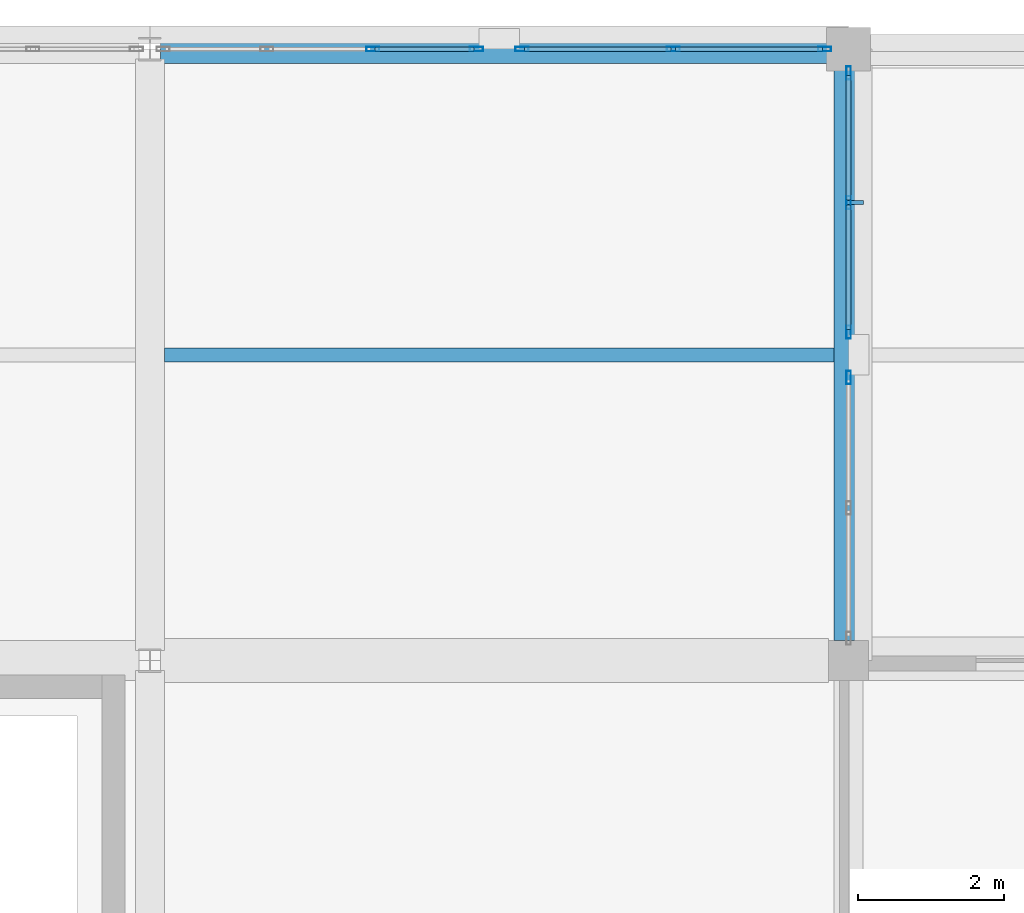
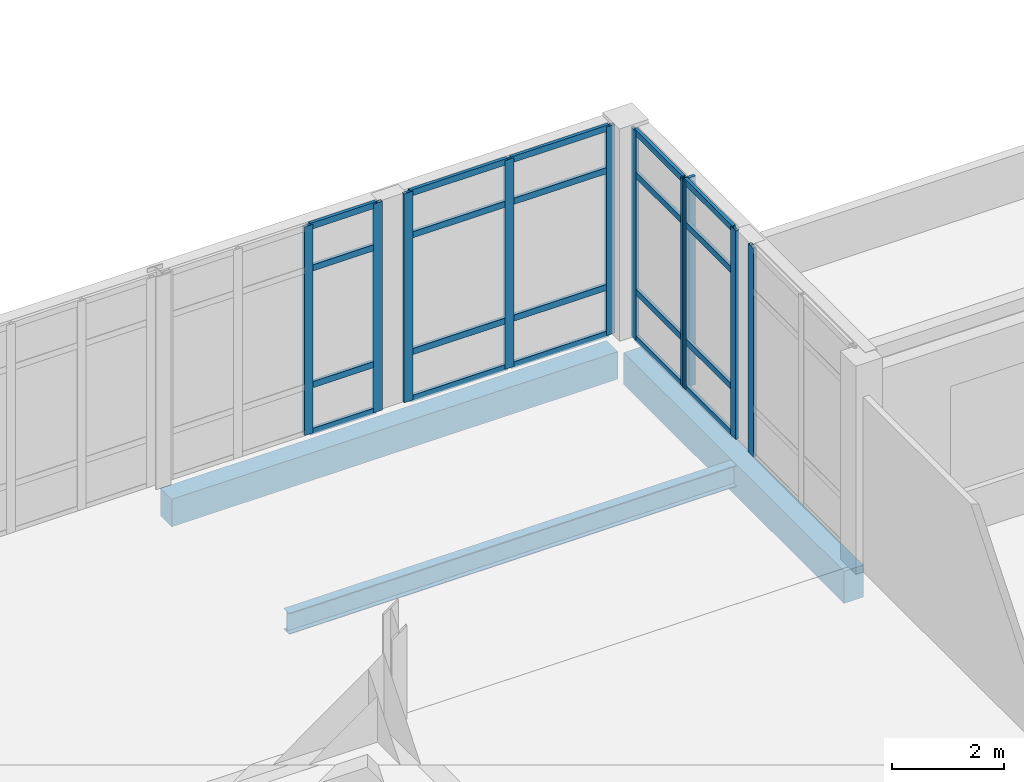
# One storey, part 53 of 88: 30 members, 3 beams, 4 elements without a shape of their own.
"""IFC4 building model written with IfcOpenShell, lengths in metres."""

from ifc_helpers import new_model, si_unit, direction, frame, origin, origin_2d, place, context, subcontext, project, spatial, rectangle, hollow_rectangle, i_section, extrude, material, layer, layer_set, material_profile, profile_set, type_object, element, aggregate, save


model = new_model("IFC4")

# Units and contexts
model_context = context("Model", 3, precision=1e-05, world=origin(), true_north=direction((0.0, 1.0)))
body_context = subcontext(model_context, "Body", "Model", "MODEL_VIEW")
ifc_project = project(units=[si_unit("LENGTHUNIT", "METRE"), si_unit("AREAUNIT", "SQUARE_METRE"), si_unit("VOLUMEUNIT", "CUBIC_METRE"), si_unit("PLANEANGLEUNIT", "RADIAN"), si_unit("MASSUNIT", "GRAM", prefix="KILO")], contexts=[model_context])

# Site, building, storey
site_placement = place(None, origin())
site = spatial("IfcSite", under=ifc_project, at=site_placement, CompositionType="ELEMENT")
building_placement = place(site_placement, origin())
building = spatial("IfcBuilding", under=site, at=building_placement, Name="Lornevale Opera House", CompositionType="ELEMENT")
storey_placement = place(building_placement, frame((0.0, 0.0, 10.199951171875)))
storey = spatial("IfcBuildingStorey", under=building, at=storey_placement, Name="L03", CompositionType="ELEMENT", Elevation=10.199951171875)

# Beams
ifc_material_1 = material(Name="Concrete 35 MPa (CSA A23.1 N)", Category="concrete")
ifc_material_profile_1 = material_profile(ifc_material_1, rectangle(XDim=0.39990234375, YDim=0.699951171875, at=origin_2d()), Name="RC400x700")
ifc_profile_set_1 = profile_set([ifc_material_profile_1], Name="Concrete 35 MPa (CSA A23.1 N)")
beam_type_1 = type_object("IfcBeamType", Name="Concrete Floor Beam 400x700", PredefinedType="USERDEFINED", material=ifc_profile_set_1)
beam_1_placement = place(storey_placement, frame((38.39990234375, 92.675048828125, -0.639892578125), z_axis=(0.0, 1.0, 0.0), x_axis=(-1.0, 0.0, 0.0)))
element("IfcBeam", 1, at=beam_1_placement, inside=storey, type_object=beam_type_1, Name="Concrete Floor Beam 400x700 2268", ObjectType="GIRDER", PredefinedType="USERDEFINED", context=body_context, shape_type="SweptSolid", body=[
    extrude(rectangle(XDim=0.39990234375, YDim=0.699951171875, at=origin_2d()), origin(), (0.0, 0.0, 1.0), 7.849853515625),
])
ifc_material_profile_2 = material_profile(ifc_material_1, rectangle(XDim=0.39990234375, YDim=0.60009765625, at=origin_2d()), Name="RC400x600")
ifc_profile_set_2 = profile_set([ifc_material_profile_2], Name="Concrete 35 MPa (CSA A23.1 N)")
beam_type_2 = type_object("IfcBeamType", Name="Concrete Spandrel Beam 400x600", PredefinedType="SPANDREL", material=ifc_profile_set_2)
beam_2_placement = place(storey_placement, frame((28.947021484375, 100.800048828125, -0.58984375), z_axis=(1.0, 0.0, 0.0), x_axis=(0.0, 1.0, 0.0)))
element("IfcBeam", 2, at=beam_2_placement, inside=storey, type_object=beam_type_2, Name="Concrete Spandrel Beam 400x600 2217", PredefinedType="SPANDREL", context=body_context, shape_type="SweptSolid", body=[
    extrude(rectangle(XDim=0.39990234375, YDim=0.60009765625, at=origin_2d()), origin(), (0.0, 0.0, 1.0), 9.177978515625),
])

# Curtain wall, members
ifc_material_2 = material(Name="Anodized Oxide-Green Aluminium Framing", Category="aluminium")
ifc_layer = layer(ifc_material_2, 0.175048828125)
ifc_layer_set = layer_set([ifc_layer], Name="Anodized Oxide-Green Aluminium Framing")
curtain_wall_type = type_object("IfcCurtainWallType", Name="Chamber Cloister Curtain Wall M1700", PredefinedType="NOTDEFINED", material=ifc_layer_set)
curtain_wall_1_placement = place(storey_placement, origin())
curtain_wall_1 = element("IfcCurtainWall", 3, at=curtain_wall_1_placement, inside=storey, type_object=curtain_wall_type, Name="Chamber Cloister Curtain Wall M1700 CW-126", PredefinedType="NOTDEFINED")
ifc_material_profile_3 = material_profile(ifc_material_2, hollow_rectangle(XDim=0.06494140625, YDim=0.179931640625, WallThickness=0.0048828125, at=origin_2d()), Name="ALU65x180x5")
ifc_profile_set_3 = profile_set([ifc_material_profile_3], Name="Anodized Oxide-Green Aluminium Framing")
member_type_1 = type_object("IfcMemberType", Name="Curtain Wall Mullion 65x180", PredefinedType="MULLION", material=ifc_profile_set_3)
member_1_placement = place(storey_placement, frame((31.863525390625, 100.800048828125, 0.0), z_axis=(0.0, 0.0, 1.0), x_axis=(0.0, 1.0, 0.0)))
member_1 = element("IfcMember", 4, at=member_1_placement, type_object=member_type_1, Name="Curtain Wall Mullion 65x180 CW2616", PredefinedType="MULLION", context=body_context, shape_type="SweptSolid", body=[
    extrude(hollow_rectangle(XDim=0.06494140625, YDim=0.179931640625, WallThickness=0.0048828125, at=origin_2d()), origin(), (0.0, 0.0, 1.0), 4.5400390625),
])
member_2_placement = place(storey_placement, frame((33.28759765625, 100.800048828125, 0.0), z_axis=(0.0, 0.0, 1.0), x_axis=(0.0, 1.0, 0.0)))
member_2 = element("IfcMember", 5, at=member_2_placement, type_object=member_type_1, Name="Curtain Wall Mullion 65x180 CW2617", PredefinedType="MULLION", context=body_context, shape_type="SweptSolid", body=[
    extrude(hollow_rectangle(XDim=0.06494140625, YDim=0.179931640625, WallThickness=0.0048828125, at=origin_2d()), origin(), (0.0, 0.0, 1.0), 4.5400390625),
])

curtain_wall_2_placement = place(storey_placement, origin())
curtain_wall_2 = element("IfcCurtainWall", 6, at=curtain_wall_2_placement, inside=storey, type_object=curtain_wall_type, Name="Chamber Cloister Curtain Wall M1700 CW-127", PredefinedType="NOTDEFINED")
member_3_placement = place(storey_placement, frame((33.91259765625, 100.800048828125, 0.0), z_axis=(0.0, 0.0, 1.0), x_axis=(0.0, 1.0, 0.0)))
member_3 = element("IfcMember", 7, at=member_3_placement, type_object=member_type_1, Name="Curtain Wall Mullion 65x180 CW2639", PredefinedType="MULLION", context=body_context, shape_type="SweptSolid", body=[
    extrude(hollow_rectangle(XDim=0.06494140625, YDim=0.179931640625, WallThickness=0.0048828125, at=origin_2d()), origin(), (0.0, 0.0, 1.0), 4.5400390625),
])
member_4_placement = place(storey_placement, frame((35.991943359375, 100.800048828125, 0.0), z_axis=(0.0, 0.0, 1.0), x_axis=(0.0, 1.0, 0.0)))
member_4 = element("IfcMember", 8, at=member_4_placement, type_object=member_type_1, Name="Curtain Wall Mullion 65x180 CW2640", PredefinedType="MULLION", context=body_context, shape_type="SweptSolid", body=[
    extrude(hollow_rectangle(XDim=0.06494140625, YDim=0.179931640625, WallThickness=0.0048828125, at=origin_2d()), origin(), (0.0, 0.0, 1.0), 4.5400390625),
])
member_5_placement = place(storey_placement, frame((38.071533203125, 100.800048828125, 0.0), z_axis=(0.0, 0.0, 1.0), x_axis=(0.0, 1.0, 0.0)))
member_5 = element("IfcMember", 9, at=member_5_placement, type_object=member_type_1, Name="Curtain Wall Mullion 65x180 CW2641", PredefinedType="MULLION", context=body_context, shape_type="SweptSolid", body=[
    extrude(hollow_rectangle(XDim=0.06494140625, YDim=0.179931640625, WallThickness=0.0048828125, at=origin_2d()), origin(), (0.0, 0.0, 1.0), 4.5400390625),
])

curtain_wall_3_placement = place(storey_placement, origin())
curtain_wall_3 = element("IfcCurtainWall", 10, at=curtain_wall_3_placement, inside=storey, type_object=curtain_wall_type, Name="Chamber Cloister Curtain Wall M1700 CW-128", PredefinedType="NOTDEFINED")
member_6_placement = place(storey_placement, frame((38.39990234375, 100.471435546875, 0.0), z_axis=(0.0, 0.0, 1.0), x_axis=(1.0, 0.0, 0.0)))
member_6 = element("IfcMember", 11, at=member_6_placement, type_object=member_type_1, Name="Curtain Wall Mullion 65x180 CW2656", PredefinedType="MULLION", context=body_context, shape_type="SweptSolid", body=[
    extrude(hollow_rectangle(XDim=0.06494140625, YDim=0.179931640625, WallThickness=0.0048828125, at=origin_2d()), origin(), (0.0, 0.0, 1.0), 4.5400390625),
])
member_7_placement = place(storey_placement, frame((38.39990234375, 98.69189453125, 0.0), z_axis=(0.0, 0.0, 1.0), x_axis=(1.0, 0.0, 0.0)))
member_7 = element("IfcMember", 12, at=member_7_placement, type_object=member_type_1, Name="Curtain Wall Mullion 65x180 CW2657", PredefinedType="MULLION", context=body_context, shape_type="SweptSolid", body=[
    extrude(hollow_rectangle(XDim=0.06494140625, YDim=0.179931640625, WallThickness=0.0048828125, at=origin_2d()), origin(), (0.0, 0.0, 1.0), 4.5400390625),
])
member_8_placement = place(storey_placement, frame((38.39990234375, 96.91259765625, 0.0), z_axis=(0.0, 0.0, 1.0), x_axis=(1.0, 0.0, 0.0)))
member_8 = element("IfcMember", 13, at=member_8_placement, type_object=member_type_1, Name="Curtain Wall Mullion 65x180 CW2658", PredefinedType="MULLION", context=body_context, shape_type="SweptSolid", body=[
    extrude(hollow_rectangle(XDim=0.06494140625, YDim=0.179931640625, WallThickness=0.0048828125, at=origin_2d()), origin(), (0.0, 0.0, 1.0), 4.5400390625),
])

# Curtain wall, member
curtain_wall_4_placement = place(storey_placement, origin())
curtain_wall_4 = element("IfcCurtainWall", 14, at=curtain_wall_4_placement, inside=storey, type_object=curtain_wall_type, Name="Chamber Cloister Curtain Wall M1700 CW-129", PredefinedType="NOTDEFINED")
member_9_placement = place(storey_placement, frame((38.39990234375, 96.28759765625, 0.0), z_axis=(0.0, 0.0, 1.0), x_axis=(1.0, 0.0, 0.0)))
member_9 = element("IfcMember", 15, at=member_9_placement, type_object=member_type_1, Name="Curtain Wall Mullion 65x180 CW2673", PredefinedType="MULLION", context=body_context, shape_type="SweptSolid", body=[
    extrude(hollow_rectangle(XDim=0.06494140625, YDim=0.179931640625, WallThickness=0.0048828125, at=origin_2d()), origin(), (0.0, 0.0, 1.0), 4.5400390625),
])
aggregate(curtain_wall_4, [member_9])

# Member
ifc_material_profile_4 = material_profile(ifc_material_2, hollow_rectangle(XDim=0.06494140625, YDim=0.135009765625, WallThickness=0.00390625, at=origin_2d()), Name="ALU65x135x4")
ifc_profile_set_4 = profile_set([ifc_material_profile_4], Name="Anodized Oxide-Green Aluminium Framing")
member_type_2 = type_object("IfcMemberType", Name="Curtain Wall Transom 65x135", PredefinedType="USERDEFINED", material=ifc_profile_set_4)
member_10_placement = place(storey_placement, frame((31.89599609375, 100.800048828125, 0.032470703125), z_axis=(1.0, 0.0, 0.0), x_axis=(0.0, 1.0, 0.0)))
member_10 = element("IfcMember", 16, at=member_10_placement, type_object=member_type_2, Name="Curtain Wall Transom 65x135 CW2632", ObjectType="TRANSOM", PredefinedType="USERDEFINED", context=body_context, shape_type="SweptSolid", body=[
    extrude(hollow_rectangle(XDim=0.06494140625, YDim=0.135009765625, WallThickness=0.00390625, at=origin_2d()), origin(), (0.0, 0.0, 1.0), 1.35888671875),
])

member_11_placement = place(storey_placement, frame((31.89599609375, 100.800048828125, 1.050048828125), z_axis=(1.0, 0.0, 0.0), x_axis=(0.0, 1.0, 0.0)))
member_11 = element("IfcMember", 17, at=member_11_placement, type_object=member_type_2, Name="Curtain Wall Transom 65x135 CW2633", ObjectType="TRANSOM", PredefinedType="USERDEFINED", context=body_context, shape_type="SweptSolid", body=[
    extrude(hollow_rectangle(XDim=0.06494140625, YDim=0.135009765625, WallThickness=0.00390625, at=origin_2d()), origin(), (0.0, 0.0, 1.0), 1.35888671875),
])

member_12_placement = place(storey_placement, frame((31.89599609375, 100.800048828125, 3.590087890625), z_axis=(1.0, 0.0, 0.0), x_axis=(0.0, 1.0, 0.0)))
member_12 = element("IfcMember", 18, at=member_12_placement, type_object=member_type_2, Name="Curtain Wall Transom 65x135 CW2634", ObjectType="TRANSOM", PredefinedType="USERDEFINED", context=body_context, shape_type="SweptSolid", body=[
    extrude(hollow_rectangle(XDim=0.06494140625, YDim=0.135009765625, WallThickness=0.00390625, at=origin_2d()), origin(), (0.0, 0.0, 1.0), 1.35888671875),
])

member_13_placement = place(storey_placement, frame((31.89599609375, 100.800048828125, 4.507568359375), z_axis=(1.0, 0.0, 0.0), x_axis=(0.0, 1.0, 0.0)))
member_13 = element("IfcMember", 19, at=member_13_placement, type_object=member_type_2, Name="Curtain Wall Transom 65x135 CW2635", ObjectType="TRANSOM", PredefinedType="USERDEFINED", context=body_context, shape_type="SweptSolid", body=[
    extrude(hollow_rectangle(XDim=0.06494140625, YDim=0.135009765625, WallThickness=0.00390625, at=origin_2d()), origin(), (0.0, 0.0, 1.0), 1.35888671875),
])

aggregate(curtain_wall_1, [member_1, member_2, member_10, member_11, member_12, member_13])

member_14_placement = place(storey_placement, frame((33.945068359375, 100.800048828125, 0.032470703125), z_axis=(1.0, 0.0, 0.0), x_axis=(0.0, 1.0, 0.0)))
member_14 = element("IfcMember", 20, at=member_14_placement, type_object=member_type_2, Name="Curtain Wall Transom 65x135 CW2642", ObjectType="TRANSOM", PredefinedType="USERDEFINED", context=body_context, shape_type="SweptSolid", body=[
    extrude(hollow_rectangle(XDim=0.06494140625, YDim=0.135009765625, WallThickness=0.00390625, at=origin_2d()), origin(), (0.0, 0.0, 1.0), 2.014404296875),
])

member_15_placement = place(storey_placement, frame((33.945068359375, 100.800048828125, 1.050048828125), z_axis=(1.0, 0.0, 0.0), x_axis=(0.0, 1.0, 0.0)))
member_15 = element("IfcMember", 21, at=member_15_placement, type_object=member_type_2, Name="Curtain Wall Transom 65x135 CW2643", ObjectType="TRANSOM", PredefinedType="USERDEFINED", context=body_context, shape_type="SweptSolid", body=[
    extrude(hollow_rectangle(XDim=0.06494140625, YDim=0.135009765625, WallThickness=0.00390625, at=origin_2d()), origin(), (0.0, 0.0, 1.0), 2.014404296875),
])

member_16_placement = place(storey_placement, frame((33.945068359375, 100.800048828125, 3.590087890625), z_axis=(1.0, 0.0, 0.0), x_axis=(0.0, 1.0, 0.0)))
member_16 = element("IfcMember", 22, at=member_16_placement, type_object=member_type_2, Name="Curtain Wall Transom 65x135 CW2644", ObjectType="TRANSOM", PredefinedType="USERDEFINED", context=body_context, shape_type="SweptSolid", body=[
    extrude(hollow_rectangle(XDim=0.06494140625, YDim=0.135009765625, WallThickness=0.00390625, at=origin_2d()), origin(), (0.0, 0.0, 1.0), 2.014404296875),
])

member_17_placement = place(storey_placement, frame((33.945068359375, 100.800048828125, 4.507568359375), z_axis=(1.0, 0.0, 0.0), x_axis=(0.0, 1.0, 0.0)))
member_17 = element("IfcMember", 23, at=member_17_placement, type_object=member_type_2, Name="Curtain Wall Transom 65x135 CW2645", ObjectType="TRANSOM", PredefinedType="USERDEFINED", context=body_context, shape_type="SweptSolid", body=[
    extrude(hollow_rectangle(XDim=0.06494140625, YDim=0.135009765625, WallThickness=0.00390625, at=origin_2d()), origin(), (0.0, 0.0, 1.0), 2.014404296875),
])

member_18_placement = place(storey_placement, frame((36.0244140625, 100.800048828125, 0.032470703125), z_axis=(1.0, 0.0, 0.0), x_axis=(0.0, 1.0, 0.0)))
member_18 = element("IfcMember", 24, at=member_18_placement, type_object=member_type_2, Name="Curtain Wall Transom 65x135 CW2649", ObjectType="TRANSOM", PredefinedType="USERDEFINED", context=body_context, shape_type="SweptSolid", body=[
    extrude(hollow_rectangle(XDim=0.06494140625, YDim=0.135009765625, WallThickness=0.00390625, at=origin_2d()), origin(), (0.0, 0.0, 1.0), 2.0146484375),
])

member_19_placement = place(storey_placement, frame((36.0244140625, 100.800048828125, 1.050048828125), z_axis=(1.0, 0.0, 0.0), x_axis=(0.0, 1.0, 0.0)))
member_19 = element("IfcMember", 25, at=member_19_placement, type_object=member_type_2, Name="Curtain Wall Transom 65x135 CW2650", ObjectType="TRANSOM", PredefinedType="USERDEFINED", context=body_context, shape_type="SweptSolid", body=[
    extrude(hollow_rectangle(XDim=0.06494140625, YDim=0.135009765625, WallThickness=0.00390625, at=origin_2d()), origin(), (0.0, 0.0, 1.0), 2.0146484375),
])

member_20_placement = place(storey_placement, frame((36.0244140625, 100.800048828125, 3.590087890625), z_axis=(1.0, 0.0, 0.0), x_axis=(0.0, 1.0, 0.0)))
member_20 = element("IfcMember", 26, at=member_20_placement, type_object=member_type_2, Name="Curtain Wall Transom 65x135 CW2651", ObjectType="TRANSOM", PredefinedType="USERDEFINED", context=body_context, shape_type="SweptSolid", body=[
    extrude(hollow_rectangle(XDim=0.06494140625, YDim=0.135009765625, WallThickness=0.00390625, at=origin_2d()), origin(), (0.0, 0.0, 1.0), 2.0146484375),
])

member_21_placement = place(storey_placement, frame((36.0244140625, 100.800048828125, 4.507568359375), z_axis=(1.0, 0.0, 0.0), x_axis=(0.0, 1.0, 0.0)))
member_21 = element("IfcMember", 27, at=member_21_placement, type_object=member_type_2, Name="Curtain Wall Transom 65x135 CW2652", ObjectType="TRANSOM", PredefinedType="USERDEFINED", context=body_context, shape_type="SweptSolid", body=[
    extrude(hollow_rectangle(XDim=0.06494140625, YDim=0.135009765625, WallThickness=0.00390625, at=origin_2d()), origin(), (0.0, 0.0, 1.0), 2.0146484375),
])

aggregate(curtain_wall_2, [member_3, member_4, member_5, member_14, member_15, member_16, member_17, member_18, member_19, member_20, member_21])

member_22_placement = place(storey_placement, frame((38.39990234375, 100.43896484375, 0.032470703125), z_axis=(0.0, -1.0, 0.0), x_axis=(1.0, 0.0, 0.0)))
member_22 = element("IfcMember", 28, at=member_22_placement, type_object=member_type_2, Name="Curtain Wall Transom 65x135 CW2659", ObjectType="TRANSOM", PredefinedType="USERDEFINED", context=body_context, shape_type="SweptSolid", body=[
    extrude(hollow_rectangle(XDim=0.06494140625, YDim=0.135009765625, WallThickness=0.00390625, at=origin_2d()), origin(), (0.0, 0.0, 1.0), 1.71435546875),
])

member_23_placement = place(storey_placement, frame((38.39990234375, 100.43896484375, 1.050048828125), z_axis=(0.0, -1.0, 0.0), x_axis=(1.0, 0.0, 0.0)))
member_23 = element("IfcMember", 29, at=member_23_placement, type_object=member_type_2, Name="Curtain Wall Transom 65x135 CW2660", ObjectType="TRANSOM", PredefinedType="USERDEFINED", context=body_context, shape_type="SweptSolid", body=[
    extrude(hollow_rectangle(XDim=0.06494140625, YDim=0.135009765625, WallThickness=0.00390625, at=origin_2d()), origin(), (0.0, 0.0, 1.0), 1.71435546875),
])

member_24_placement = place(storey_placement, frame((38.39990234375, 100.43896484375, 3.590087890625), z_axis=(0.0, -1.0, 0.0), x_axis=(1.0, 0.0, 0.0)))
member_24 = element("IfcMember", 30, at=member_24_placement, type_object=member_type_2, Name="Curtain Wall Transom 65x135 CW2661", ObjectType="TRANSOM", PredefinedType="USERDEFINED", context=body_context, shape_type="SweptSolid", body=[
    extrude(hollow_rectangle(XDim=0.06494140625, YDim=0.135009765625, WallThickness=0.00390625, at=origin_2d()), origin(), (0.0, 0.0, 1.0), 1.71435546875),
])

member_25_placement = place(storey_placement, frame((38.39990234375, 100.43896484375, 4.507568359375), z_axis=(0.0, -1.0, 0.0), x_axis=(1.0, 0.0, 0.0)))
member_25 = element("IfcMember", 31, at=member_25_placement, type_object=member_type_2, Name="Curtain Wall Transom 65x135 CW2662", ObjectType="TRANSOM", PredefinedType="USERDEFINED", context=body_context, shape_type="SweptSolid", body=[
    extrude(hollow_rectangle(XDim=0.06494140625, YDim=0.135009765625, WallThickness=0.00390625, at=origin_2d()), origin(), (0.0, 0.0, 1.0), 1.71435546875),
])

member_26_placement = place(storey_placement, frame((38.39990234375, 98.659423828125, 0.032470703125), z_axis=(0.0, -1.0, 0.0), x_axis=(1.0, 0.0, 0.0)))
member_26 = element("IfcMember", 32, at=member_26_placement, type_object=member_type_2, Name="Curtain Wall Transom 65x135 CW2666", ObjectType="TRANSOM", PredefinedType="USERDEFINED", context=body_context, shape_type="SweptSolid", body=[
    extrude(hollow_rectangle(XDim=0.06494140625, YDim=0.135009765625, WallThickness=0.00390625, at=origin_2d()), origin(), (0.0, 0.0, 1.0), 1.71435546875),
])

member_27_placement = place(storey_placement, frame((38.39990234375, 98.659423828125, 1.050048828125), z_axis=(0.0, -1.0, 0.0), x_axis=(1.0, 0.0, 0.0)))
member_27 = element("IfcMember", 33, at=member_27_placement, type_object=member_type_2, Name="Curtain Wall Transom 65x135 CW2667", ObjectType="TRANSOM", PredefinedType="USERDEFINED", context=body_context, shape_type="SweptSolid", body=[
    extrude(hollow_rectangle(XDim=0.06494140625, YDim=0.135009765625, WallThickness=0.00390625, at=origin_2d()), origin(), (0.0, 0.0, 1.0), 1.71435546875),
])

member_28_placement = place(storey_placement, frame((38.39990234375, 98.659423828125, 3.590087890625), z_axis=(0.0, -1.0, 0.0), x_axis=(1.0, 0.0, 0.0)))
member_28 = element("IfcMember", 34, at=member_28_placement, type_object=member_type_2, Name="Curtain Wall Transom 65x135 CW2668", ObjectType="TRANSOM", PredefinedType="USERDEFINED", context=body_context, shape_type="SweptSolid", body=[
    extrude(hollow_rectangle(XDim=0.06494140625, YDim=0.135009765625, WallThickness=0.00390625, at=origin_2d()), origin(), (0.0, 0.0, 1.0), 1.71435546875),
])

member_29_placement = place(storey_placement, frame((38.39990234375, 98.659423828125, 4.507568359375), z_axis=(0.0, -1.0, 0.0), x_axis=(1.0, 0.0, 0.0)))
member_29 = element("IfcMember", 35, at=member_29_placement, type_object=member_type_2, Name="Curtain Wall Transom 65x135 CW2669", ObjectType="TRANSOM", PredefinedType="USERDEFINED", context=body_context, shape_type="SweptSolid", body=[
    extrude(hollow_rectangle(XDim=0.06494140625, YDim=0.135009765625, WallThickness=0.00390625, at=origin_2d()), origin(), (0.0, 0.0, 1.0), 1.71435546875),
])

ifc_material_3 = material(Name="Architectural Bronze Solar Louvre Alloy", Category="metal")
ifc_material_profile_5 = material_profile(ifc_material_3, rectangle(XDim=0.06005859375, YDim=0.239990234375, at=origin_2d()), Name="FIN60x240")
ifc_profile_set_5 = profile_set([ifc_material_profile_5], Name="Architectural Bronze Solar Louvre Alloy")
member_type_3 = type_object("IfcMemberType", Name="Solar Shading Fin 60x240", PredefinedType="USERDEFINED", material=ifc_profile_set_5)
member_30_placement = place(storey_placement, frame((38.48388671875, 98.69189453125, 0.0), z_axis=(0.0, 0.0, 1.0), x_axis=(0.0, -1.0, 0.0)))
member_30 = element("IfcMember", 36, at=member_30_placement, type_object=member_type_3, Name="Solar Shading Fin 60x240 FIN0051", ObjectType="SOLAR FIN", PredefinedType="USERDEFINED", context=body_context, shape_type="SweptSolid", body=[
    extrude(rectangle(XDim=0.06005859375, YDim=0.239990234375, at=origin_2d()), origin(), (0.0, 0.0, 1.0), 4.5400390625),
])

aggregate(curtain_wall_3, [member_6, member_7, member_8, member_22, member_23, member_24, member_25, member_26, member_27, member_28, member_29, member_30])

# Beam
ifc_material_4 = material(Name="Structural Steel CSA G40.21 Grade 350W (350 MPa)", Category="steel")
ifc_material_profile_6 = material_profile(ifc_material_4, i_section(OverallWidth=0.19189453125, OverallDepth=0.462890625, WebThickness=0.010498046875, FlangeThickness=0.017578125, at=origin_2d()), Name="W460x89")
ifc_profile_set_6 = profile_set([ifc_material_profile_6], Name="Structural Steel CSA G40.21 Grade 350W (350 MPa)")
beam_type_3 = type_object("IfcBeamType", Name="Steel Floor Joist W460x89", PredefinedType="JOIST", material=ifc_profile_set_6)
beam_3_placement = place(storey_placement, frame((29.0, 96.60009765625, -0.536376953125), z_axis=(1.0, 0.0, 0.0), x_axis=(0.0, 1.0, 0.0)))
element("IfcBeam", 37, at=beam_3_placement, inside=storey, type_object=beam_type_3, Name="Steel Floor Joist W460x89 2388", PredefinedType="JOIST", context=body_context, shape_type="SweptSolid", body=[
    extrude(i_section(OverallWidth=0.19189453125, OverallDepth=0.462890625, WebThickness=0.010498046875, FlangeThickness=0.017578125, at=origin_2d()), origin(), (0.0, 0.0, 1.0), 9.199951171875),
])

save(model, "model.ifc")
